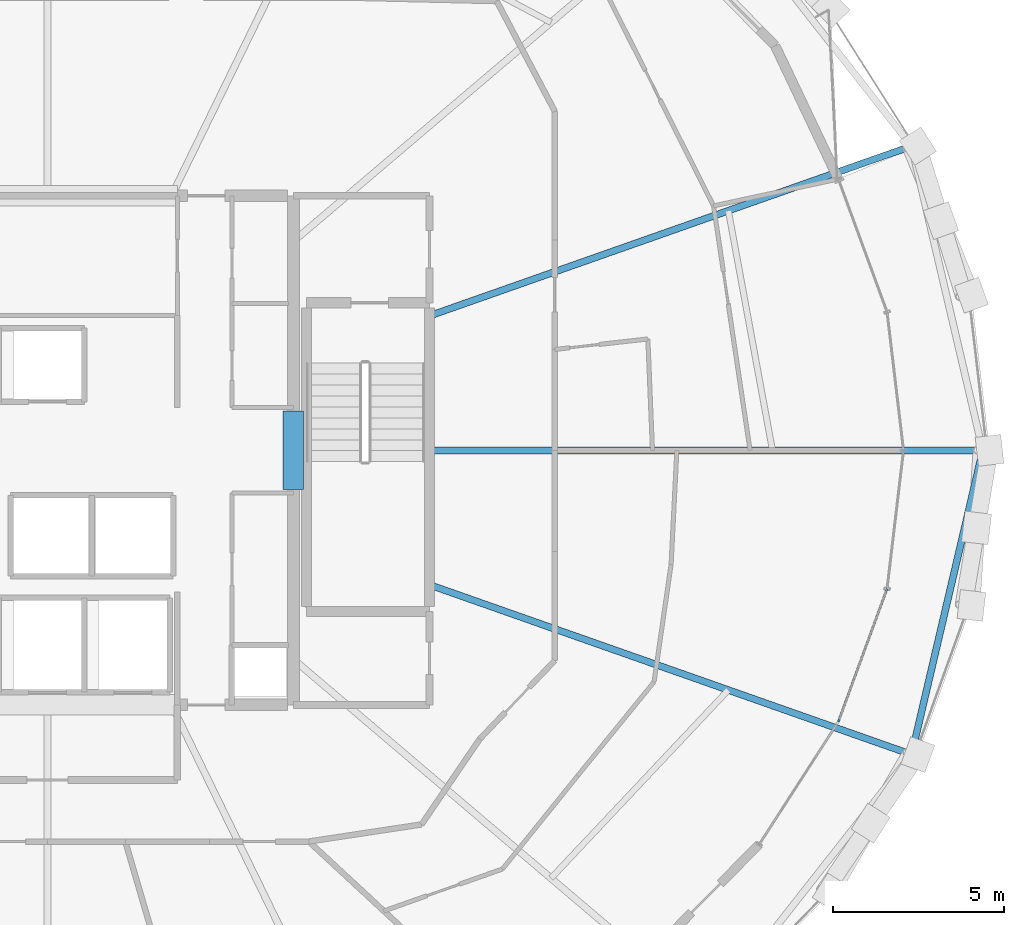
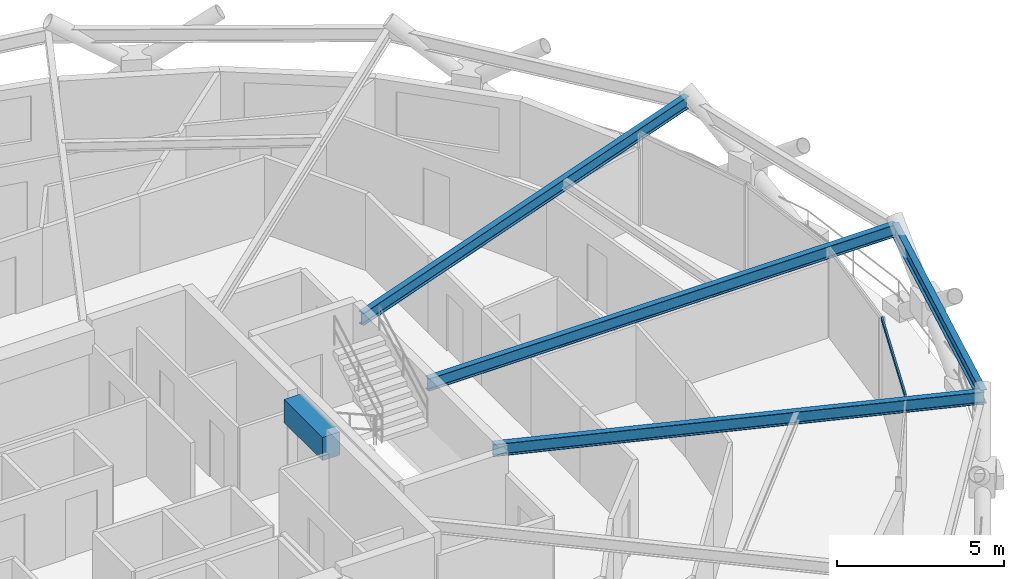
# One storey, part 7 of 15: 5 beams, 1 member, 1 element without a shape of its own.
"""IFC4 building model written with IfcOpenShell, lengths in metres."""

from ifc_helpers import new_model, si_unit, direction, frame, origin, origin_2d, place, context, subcontext, project, spatial, rectangle, hollow_rectangle, i_section, extrude, material, layer, layer_set, material_profile, profile_set, type_object, element, aggregate, save


model = new_model("IFC4")

# Units and contexts
model_context = context("Model", 3, precision=1e-05, world=origin(), true_north=direction((0.0, 1.0)))
body_context = subcontext(model_context, "Body", "Model", "MODEL_VIEW")
ifc_project = project(units=[si_unit("LENGTHUNIT", "METRE"), si_unit("AREAUNIT", "SQUARE_METRE"), si_unit("VOLUMEUNIT", "CUBIC_METRE"), si_unit("PLANEANGLEUNIT", "RADIAN"), si_unit("MASSUNIT", "GRAM", prefix="KILO")], contexts=[model_context])

# Site, building, storey
site_placement = place(None, origin())
site = spatial("IfcSite", under=ifc_project, at=site_placement, CompositionType="ELEMENT")
building_placement = place(site_placement, origin())
building = spatial("IfcBuilding", under=site, at=building_placement, Name="Veldorina Hangang Commons", CompositionType="ELEMENT")
storey_placement = place(building_placement, frame((0.0, 0.0, 182.0)))
storey = spatial("IfcBuildingStorey", under=building, at=storey_placement, Name="L47", CompositionType="ELEMENT", Elevation=182.0)

# Beams
ifc_material_1 = material(Name="Concrete C60/75", Category="concrete")
ifc_material_profile_1 = material_profile(ifc_material_1, rectangle(XDim=0.60009765625, YDim=0.85009765625, at=origin_2d()), Name="RC-CB-600x850")
ifc_profile_set_1 = profile_set([ifc_material_profile_1], Name="Concrete C60/75")
beam_type_1 = type_object("IfcBeamType", Name="BM-CB850", PredefinedType="LINTEL", material=ifc_profile_set_1)
beam_1_placement = place(storey_placement, frame((39.199951171875, 22.85009765625, 2.925048828125), z_axis=(0.0, 1.0, 0.0), x_axis=(-1.0, 0.0, 0.0)))
element("IfcBeam", 1, at=beam_1_placement, inside=storey, type_object=beam_type_1, Name="L47 E core coupling lintel beam", PredefinedType="LINTEL", context=body_context, shape_type="SweptSolid", body=[
    extrude(rectangle(XDim=0.60009765625, YDim=0.85009765625, at=origin_2d()), origin(), (0.0, 0.0, 1.0), 2.2998046875),
])
ifc_material_2 = material(Name="Steel SM355-TMC", Category="steel")
ifc_material_profile_2 = material_profile(ifc_material_2, i_section(OverallWidth=0.199951171875, OverallDepth=0.449951171875, WebThickness=0.009033203125, FlangeThickness=0.013916015625, FilletRadius=0.01611328125, at=origin_2d()), Name="H-450x200x9x14")
ifc_profile_set_2 = profile_set([ifc_material_profile_2], Name="Steel SM355-TMC")
beam_type_2 = type_object("IfcBeamType", Name="BM-FG450", PredefinedType="BEAM", material=ifc_profile_set_2)
beam_2_placement = place(storey_placement, frame((43.179931640625, 24.0, 3.125), z_axis=(1.0, 0.0, 0.0), x_axis=(0.0, 1.0, 0.0)))
element("IfcBeam", 2, at=beam_2_placement, inside=storey, type_object=beam_type_2, Name="L47 radial floor girder 01", PredefinedType="BEAM", context=body_context, shape_type="SweptSolid", body=[
    extrude(i_section(OverallWidth=0.199951171875, OverallDepth=0.449951171875, WebThickness=0.009033203125, FlangeThickness=0.013916015625, FilletRadius=0.01611328125, at=origin_2d()), origin(), (0.0, 0.0, 1.0), 16.19580078125),
])
for number, where, z_axis, x_axis, name in (
    (3, (43.179931640625, 27.935546875, 3.125), (0.943261760957, 0.332050072002, 0.0), (-0.332050072002, 0.943261760957, 0.0), "L47 radial floor girder 02"),
    (4, (43.179931640625, 20.064453125, 3.125), (0.943261760957, -0.332050072002, 0.0), (0.332050072002, 0.943261760957, 0.0), "L47 radial floor girder 16"),
):
    element("IfcBeam", number, at=place(storey_placement, frame(where, z_axis=z_axis, x_axis=x_axis)), inside=storey, type_object=beam_type_2, Name=name, PredefinedType="BEAM", context=body_context, shape_type="SweptSolid", body=[
        extrude(i_section(OverallWidth=0.199951171875, OverallDepth=0.449951171875, WebThickness=0.009033203125, FlangeThickness=0.013916015625, FilletRadius=0.01611328125, at=origin_2d()), origin(), (0.0, 0.0, 1.0), 14.9609375),
    ])
ifc_material_3 = material(Name="Steel SM420-TMC", Category="steel")
ifc_material_profile_3 = material_profile(ifc_material_3, i_section(OverallWidth=0.199951171875, OverallDepth=0.5, WebThickness=0.010009765625, FlangeThickness=0.01611328125, FilletRadius=0.01611328125, at=origin_2d()), Name="H-500x200x10x16")
ifc_profile_set_3 = profile_set([ifc_material_profile_3], Name="Steel SM420-TMC")
beam_type_3 = type_object("IfcBeamType", Name="BM-RB500", PredefinedType="BEAM", material=ifc_profile_set_3)
beam_3_placement = place(storey_placement, frame((57.2919921875, 15.0966796875, 3.10009765625), z_axis=(0.227882851638, 0.973688556947, 0.0), x_axis=(-0.973688556947, 0.227882851638, 0.0)))
element("IfcBeam", 5, at=beam_3_placement, inside=storey, type_object=beam_type_3, Name="L47 perimeter hoop ring beam 30", PredefinedType="BEAM", context=body_context, shape_type="SweptSolid", body=[
    extrude(i_section(OverallWidth=0.199951171875, OverallDepth=0.5, WebThickness=0.010009765625, FlangeThickness=0.01611328125, FilletRadius=0.01611328125, at=origin_2d()), origin(), (0.0, 0.0, 1.0), 9.143798828125),
])

# Curtain wall, member
ifc_material_4 = material(Name="Glass Low-E Triple IGU", Category="glass")
ifc_layer = layer(ifc_material_4, 0.179931640625)
ifc_layer_set = layer_set([ifc_layer], Name="Glass Low-E Triple IGU")
curtain_wall_type = type_object("IfcCurtainWallType", Name="CW-SYS-Z2", PredefinedType="NOTDEFINED", material=ifc_layer_set)
curtain_wall_placement = place(storey_placement, origin())
curtain_wall = element("IfcCurtainWall", 6, at=curtain_wall_placement, inside=storey, type_object=curtain_wall_type, Name="L47 unitised curtain wall CW-L47-R2", PredefinedType="NOTDEFINED")
ifc_material_5 = material(Name="Aluminium Anodized AA6063-T6", Category="aluminium")
ifc_material_profile_4 = material_profile(ifc_material_5, hollow_rectangle(XDim=0.06005859375, YDim=0.139892578125, WallThickness=0.00341796875, at=origin_2d()), Name="ALU-RHS-140x60x3.5")
ifc_profile_set_4 = profile_set([ifc_material_profile_4], Name="Aluminium Anodized AA6063-T6")
member_type = type_object("IfcMemberType", Name="CW-TRN-140", PredefinedType="USERDEFINED", material=ifc_profile_set_4)
member_placement = place(storey_placement, frame((55.14892578125, 16.05712890625, 3.27001953125), z_axis=(0.34386016204, 0.93902086716, 0.0), x_axis=(-0.93902086716, 0.34386016204, 0.0)))
member = element("IfcMember", 7, at=member_placement, type_object=member_type, Name="CW-L47-R2 facet 2 transom 1", ObjectType="TRANSOM", PredefinedType="USERDEFINED", context=body_context, shape_type="SweptSolid", body=[
    extrude(hollow_rectangle(XDim=0.06005859375, YDim=0.139892578125, WallThickness=0.00341796875, at=origin_2d()), origin(), (0.0, 0.0, 1.0), 4.146484375),
])
aggregate(curtain_wall, [member])

save(model, "model.ifc")
